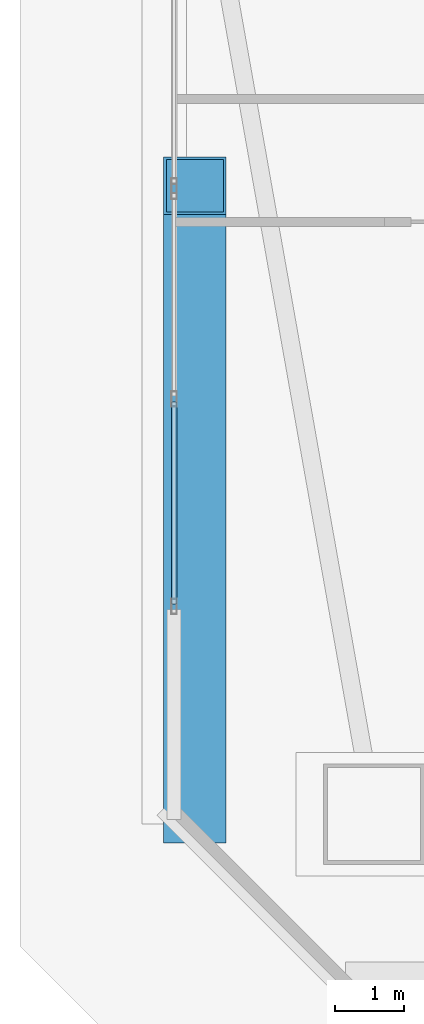
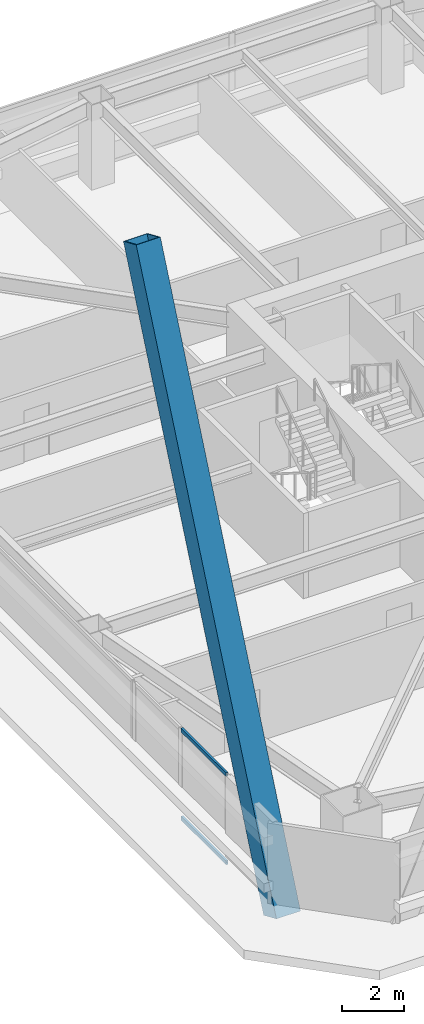
# One storey, part 6 of 67: 3 members, 1 element without a shape of its own.
"""IFC4 building model written with IfcOpenShell, lengths in metres."""

from ifc_helpers import new_model, si_unit, direction, frame, origin, origin_2d, place, context, subcontext, project, spatial, hollow_rectangle, extrude, material, material_profile, profile_set, type_object, element, aggregate, save


model = new_model("IFC4")

# Units and contexts
model_context = context("Model", 3, precision=1e-05, world=origin(), true_north=direction((0.0, 1.0)))
body_context = subcontext(model_context, "Body", "Model", "MODEL_VIEW")
ifc_project = project(units=[si_unit("LENGTHUNIT", "METRE"), si_unit("AREAUNIT", "SQUARE_METRE"), si_unit("VOLUMEUNIT", "CUBIC_METRE"), si_unit("PLANEANGLEUNIT", "RADIAN"), si_unit("MASSUNIT", "GRAM", prefix="KILO")], contexts=[model_context])

# Site, building, storey
site_placement = place(None, origin())
site = spatial("IfcSite", under=ifc_project, at=site_placement, CompositionType="ELEMENT")
building_placement = place(site_placement, origin())
building = spatial("IfcBuilding", under=site, at=building_placement, Name="Tashvorn Skyway Center", CompositionType="ELEMENT")
storey_placement = place(building_placement, frame((0.0, 0.0, 67.199951171875)))
storey = spatial("IfcBuildingStorey", under=building, at=storey_placement, Name="L17", CompositionType="ELEMENT", Elevation=67.199951171875)

# Curtain wall, members
ifc_material_1 = material(Name="Thermally broken bronze-anodized aluminium 6063-T6", Category="aluminium")
curtain_wall_type = type_object("IfcCurtainWallType", Name="CW-CW-Z2", PredefinedType="NOTDEFINED", material=ifc_material_1)
curtain_wall_placement = place(storey_placement, origin())
curtain_wall = element("IfcCurtainWall", 1, at=curtain_wall_placement, inside=storey, type_object=curtain_wall_type, Name="Tower 1 L17 West Unitised Curtain Wall Glazing Group 1", PredefinedType="NOTDEFINED")
ifc_material_profile_1 = material_profile(ifc_material_1, hollow_rectangle(XDim=0.080078125, YDim=0.14990234375, WallThickness=0.00439453125, at=origin_2d()), Name="ALU-TRAN-80x150")
ifc_profile_set_1 = profile_set([ifc_material_profile_1], Name="Thermally broken bronze-anodized aluminium 6063-T6")
member_type_1 = type_object("IfcMemberType", Name="CWT-CW-Z2", PredefinedType="USERDEFINED", material=ifc_profile_set_1)
member_1_placement = place(storey_placement, frame((21.02001953125, 16.929931640625, 0.0400390625), z_axis=(0.0, 1.0, 0.0), x_axis=(-1.0, 0.0, 0.0)))
member_1 = element("IfcMember", 2, at=member_1_placement, type_object=member_type_1, Name="CW-Z2 transom 1.1", ObjectType="TRANSOM", PredefinedType="USERDEFINED", context=body_context, shape_type="SweptSolid", body=[
    extrude(hollow_rectangle(XDim=0.080078125, YDim=0.14990234375, WallThickness=0.00439453125, at=origin_2d()), origin(), (0.0, 0.0, 1.0), 2.91015625),
])
member_2_placement = place(storey_placement, frame((21.02001953125, 16.929931640625, 3.510009765625), z_axis=(0.0, 1.0, 0.0), x_axis=(-1.0, 0.0, 0.0)))
member_2 = element("IfcMember", 3, at=member_2_placement, type_object=member_type_1, Name="CW-Z2 transom 1.2", ObjectType="TRANSOM", PredefinedType="USERDEFINED", context=body_context, shape_type="SweptSolid", body=[
    extrude(hollow_rectangle(XDim=0.080078125, YDim=0.14990234375, WallThickness=0.00439453125, at=origin_2d()), origin(), (0.0, 0.0, 1.0), 2.91015625),
])
aggregate(curtain_wall, [member_1, member_2])

# Member
ifc_material_2 = material(Name="Steel ASTM A572 Grade 50", Category="steel")
ifc_material_profile_2 = material_profile(ifc_material_2, hollow_rectangle(XDim=0.89990234375, YDim=0.89990234375, WallThickness=0.0400390625, at=origin_2d()), Name="BOX900x900x40")
ifc_profile_set_2 = profile_set([ifc_material_profile_2], Name="Steel ASTM A572 Grade 50")
member_type_2 = type_object("IfcMemberType", Name="MEM-MB-900", PredefinedType="BRACE", material=ifc_profile_set_2)
member_3_placement = place(storey_placement, frame((21.320068359375, 13.89990234375, -0.219970703125), z_axis=(0.0, 0.394656720236, 0.918828641898), x_axis=(-1.0, 0.0, 0.0)))
element("IfcMember", 4, at=member_3_placement, inside=storey, type_object=member_type_2, Name="Tower 1 Zone 2 W Chevron Mega-Brace R1", PredefinedType="BRACE", context=body_context, shape_type="SweptSolid", body=[
    extrude(hollow_rectangle(XDim=0.89990234375, YDim=0.89990234375, WallThickness=0.0400390625, at=origin_2d()), origin(), (0.0, 0.0, 1.0), 22.931396484375),
])

save(model, "model.ifc")
